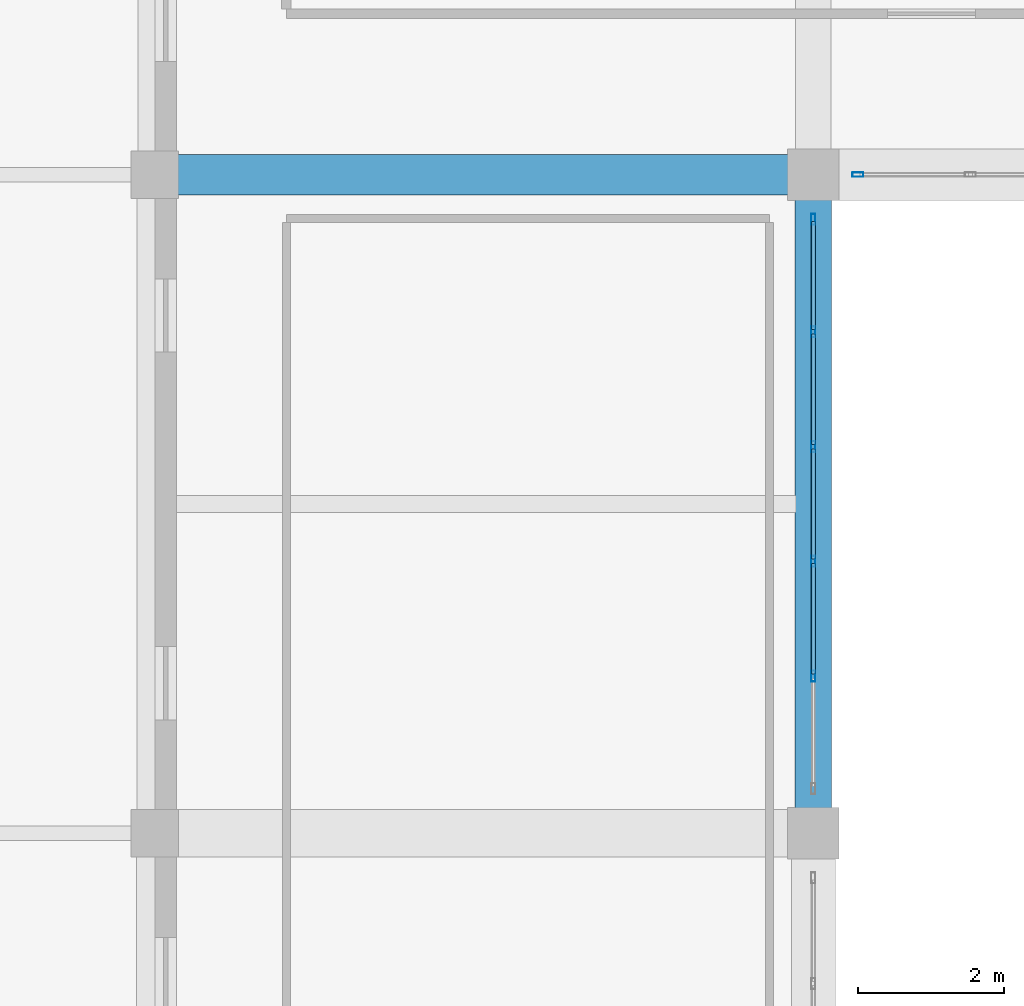
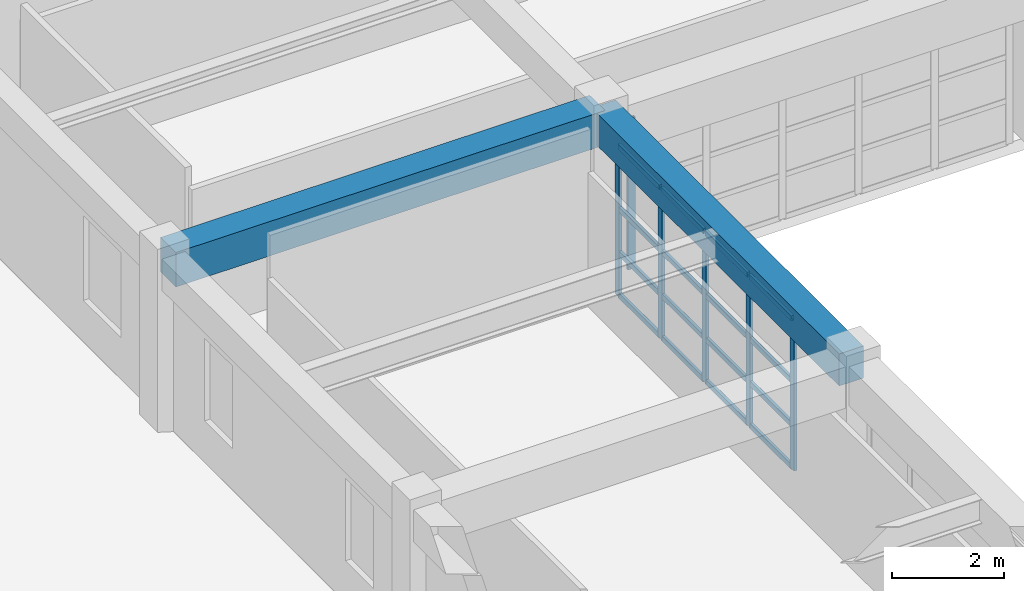
# One storey, part 60 of 130: 22 members, 2 beams, 2 elements without a shape of their own.
"""IFC4 building model written with IfcOpenShell, lengths in metres."""

import ifcopenshell
import ifcopenshell.guid

model = None  # the IFC model being written
_history = None  # IfcOwnerHistory: only IFC2X3 demands one
_inside = {}  # id of a spatial element -> (the spatial element, [elements in it])
_under = {}  # id of a project, library or spatial element -> (it, [spatial elements below it])
_declared = {}  # id of a project -> (the project, [libraries it declares])
_typed = {}  # id of a type object -> (the type object, [elements of that type])
_made_of = {}  # id of a material, layer set ... -> (it, [elements and type objects made of it])


def new_model(schema):
    """Start an empty IFC model of exactly this schema.

    Asked for "IFC4X3", IfcOpenShell would pick the latest addendum, in which some entities
    have other attributes; the version numbers below select the first issue.
    IFC2X3 requires an IfcOwnerHistory on every rooted entity: one is made here for all.
    """
    global model, _history
    if schema == "IFC4X3":
        model = ifcopenshell.file(schema_version=(4, 3, 0, 0))
    else:
        model = ifcopenshell.file(schema=schema)
    _inside.clear()
    _under.clear()
    _declared.clear()
    _typed.clear()
    _made_of.clear()
    _history = None
    if model.schema == "IFC2X3":
        org = make("IfcOrganization", Name="unknown")
        user = make(
            "IfcPersonAndOrganization",
            ThePerson=make("IfcPerson", FamilyName="unknown"),
            TheOrganization=org,
        )
        app = make(
            "IfcApplication",
            ApplicationDeveloper=org,
            Version="unknown",
            ApplicationFullName="unknown",
            ApplicationIdentifier="unknown",
        )
        _history = make(
            "IfcOwnerHistory",
            OwningUser=user,
            OwningApplication=app,
            ChangeAction="ADDED",
            CreationDate=0,
        )
    return model


def make(cls, **values):
    """One entity of the class cls with the attributes given. An attribute that is None is left unset."""
    return model.create_entity(
        cls, **{name: value for name, value in values.items() if value is not None}
    )


def rooted(cls, **values):
    """An entity with a GlobalId (a new one), such as an element, a storey or a relation."""
    return make(cls, GlobalId=ifcopenshell.guid.new(), OwnerHistory=_history, **values)


def si_unit(unit_type, name, prefix=None):
    """IfcSIUnit, for example si_unit("LENGTHUNIT", "METRE", prefix="MILLI")."""
    return make("IfcSIUnit", UnitType=unit_type, Prefix=prefix, Name=name)


def assignment(units):
    """IfcUnitAssignment: the units of a project."""
    return None if units is None else make("IfcUnitAssignment", Units=units)


def point(xyz):
    """IfcCartesianPoint."""
    return None if xyz is None else make("IfcCartesianPoint", Coordinates=xyz)


def direction(xyz):
    """IfcDirection."""
    return None if xyz is None else make("IfcDirection", DirectionRatios=xyz)


def frame(location, z_axis=None, x_axis=None):
    """IfcAxis2Placement3D, a coordinate frame: its origin and axes. An axis left out is left unset."""
    return make(
        "IfcAxis2Placement3D",
        Location=point(location),
        Axis=direction(z_axis),
        RefDirection=direction(x_axis),
    )


def frame_2d(location, x_axis=None):
    """IfcAxis2Placement2D, a coordinate frame in the plane: its origin and x axis."""
    return make(
        "IfcAxis2Placement2D", Location=point(location), RefDirection=direction(x_axis)
    )


def origin():
    """The frame at (0, 0, 0) with its axes left unset."""
    return frame((0.0, 0.0, 0.0))


def origin_2d():
    """The frame at (0, 0) in the plane with its x axis left unset."""
    return frame_2d((0.0, 0.0))


def place(relative_to, where):
    """IfcLocalPlacement: puts the frame where relative to a parent placement (None: the world)."""
    return make(
        "IfcLocalPlacement", PlacementRelTo=relative_to, RelativePlacement=where
    )


def context(
    kind, dimensions, precision=None, world=None, true_north=None, identifier=None
):
    """IfcGeometricRepresentationContext, for example the 3D "Model" context."""
    return make(
        "IfcGeometricRepresentationContext",
        ContextIdentifier=identifier,
        ContextType=kind,
        CoordinateSpaceDimension=dimensions,
        Precision=precision,
        WorldCoordinateSystem=world,
        TrueNorth=true_north,
    )


def subcontext(parent, identifier, kind, view, scale=None):
    """IfcGeometricRepresentationSubContext, for example "Body" below "Model"."""
    return make(
        "IfcGeometricRepresentationSubContext",
        ContextIdentifier=identifier,
        ContextType=kind,
        ParentContext=parent,
        TargetScale=scale,
        TargetView=view,
    )


def project(units=None, contexts=None):
    """IfcProject with its units and contexts."""
    return rooted(
        "IfcProject",
        Name="project",
        RepresentationContexts=contexts,
        UnitsInContext=assignment(units),
    )


def spatial(cls, under=None, at=None, **own):
    """A site, building, storey or space (cls), placed at a placement, below another one or the project."""
    s = rooted(cls, ObjectPlacement=at, **own)
    if under is not None:
        _under.setdefault(under.id(), (under, []))[1].append(s)
    return s


def profile(cls, at=None, kind="AREA", **sizes):
    """A parametric profile (cls). Its sizes go by their IFC names, for example OverallWidth=200.0."""
    return make(cls, ProfileType=kind, Position=at, **sizes)


def rectangle(**sizes):
    """IfcRectangleProfileDef."""
    return profile("IfcRectangleProfileDef", **sizes)


def hollow_rectangle(**sizes):
    """IfcRectangleHollowProfileDef."""
    return profile("IfcRectangleHollowProfileDef", **sizes)


def extrude(swept, where, along, depth):
    """IfcExtrudedAreaSolid: the profile swept, set in the frame where, extruded along a direction by depth."""
    return make(
        "IfcExtrudedAreaSolid",
        SweptArea=swept,
        Position=where,
        ExtrudedDirection=direction(along),
        Depth=depth,
    )


def shape(context_of_items, identifier, shape_type, items):
    """IfcShapeRepresentation: the items that make up one representation, for example the "Body"."""
    return make(
        "IfcShapeRepresentation",
        ContextOfItems=context_of_items,
        RepresentationIdentifier=identifier,
        RepresentationType=shape_type,
        Items=items,
    )


def material(Name=None, Category=None):
    """IfcMaterial."""
    return make("IfcMaterial", Name=Name, Category=Category)


def material_profile(
    of_material, cross_section, Name=None, Category=None, Priority=None
):
    """IfcMaterialProfile: a cross section and its material."""
    return make(
        "IfcMaterialProfile",
        Name=Name,
        Material=of_material,
        Profile=cross_section,
        Priority=Priority,
        Category=Category,
    )


def profile_set(profiles, Name=None, composite=None):
    """IfcMaterialProfileSet."""
    return make(
        "IfcMaterialProfileSet",
        Name=Name,
        MaterialProfiles=profiles,
        CompositeProfile=composite,
    )


def made_of(thing, what):
    """Note that an element or type object is made of a material, layer set ...; save() writes the relation."""
    if what is not None:
        _made_of.setdefault(what.id(), (what, []))[1].append(thing)
    return thing


def type_object(cls, material=None, **own):
    """A type object (cls), such as IfcWallType, which elements share."""
    return made_of(rooted(cls, **own), material)


def element(
    cls,
    number,
    at=None,
    inside=None,
    cuts=None,
    type_object=None,
    material=None,
    context=None,
    identifier="Body",
    shape_type=None,
    held_by="IfcProductDefinitionShape",
    body=None,
    shapes=None,
    **own,
):
    """One element of the class cls, such as IfcWall. Its Tag is "e" and its number.

    at: its placement. inside: the storey or other place that contains it. cuts: it is an
    opening in that element (IfcRelVoidsElement). A single representation is given by context,
    identifier, shape_type and body (its items); several are given by shapes. held_by: the class
    of the entity that holds the representations. save() writes the other relations.
    """
    e = rooted(cls, Tag="e%d" % number, ObjectPlacement=at, **own)
    if body is not None:
        shapes = [shape(context, identifier, shape_type, body)]
    if shapes is not None:
        e.Representation = make(held_by, Representations=shapes)
    if inside is not None:
        _inside.setdefault(inside.id(), (inside, []))[1].append(e)
    if cuts is not None:
        rooted(
            "IfcRelVoidsElement", RelatingBuildingElement=cuts, RelatedOpeningElement=e
        )
    if type_object is not None:
        _typed.setdefault(type_object.id(), (type_object, []))[1].append(e)
    return made_of(e, material)


def aggregate(whole, parts):
    """IfcRelAggregates: a whole, such as a stair, and the parts it consists of."""
    return rooted("IfcRelAggregates", RelatingObject=whole, RelatedObjects=parts)


def save(model, path):
    """Write the relations noted so far, then the file.

    IfcRelAggregates (storeys below a building ...), IfcRelContainedInSpatialStructure (elements
    in a storey), IfcRelDefinesByType, IfcRelAssociatesMaterial and IfcRelDeclares: one each for
    every whole, place, type object, material and project.
    """
    for whole, parts in _under.values():
        aggregate(whole, parts)
    for where, things in _inside.values():
        rooted(
            "IfcRelContainedInSpatialStructure",
            RelatedElements=things,
            RelatingStructure=where,
        )
    for kind, things in _typed.values():
        rooted("IfcRelDefinesByType", RelatedObjects=things, RelatingType=kind)
    for what, things in _made_of.values():
        rooted("IfcRelAssociatesMaterial", RelatedObjects=things, RelatingMaterial=what)
    for by, libraries in _declared.values():
        rooted("IfcRelDeclares", RelatingContext=by, RelatedDefinitions=libraries)
    model.write(path)


model = new_model("IFC4")

# Units and contexts
model_context = context("Model", 3, precision=1e-05, world=origin(), true_north=direction((0.0, 1.0)))
body_context = subcontext(model_context, "Body", "Model", "MODEL_VIEW")
ifc_project = project(units=[si_unit("LENGTHUNIT", "METRE"), si_unit("AREAUNIT", "SQUARE_METRE"), si_unit("VOLUMEUNIT", "CUBIC_METRE"), si_unit("PLANEANGLEUNIT", "RADIAN"), si_unit("MASSUNIT", "GRAM", prefix="KILO")], contexts=[model_context])

# Site, building, storey
site_placement = place(None, origin())
site = spatial("IfcSite", under=ifc_project, at=site_placement, CompositionType="ELEMENT")
building_placement = place(site_placement, origin())
building = spatial("IfcBuilding", under=site, at=building_placement, Name="Miravela Opera House", CompositionType="ELEMENT")
storey_placement = place(building_placement, frame((0.0, 0.0, 9.52001953125)))
storey = spatial("IfcBuildingStorey", under=building, at=storey_placement, Name="L02", CompositionType="ELEMENT", Elevation=9.52001953125)

# Curtain wall, member
ifc_material_1 = material(Name="Anodised architectural bronze aluminium 6063-T6", Category="aluminium")
curtain_wall_type = type_object("IfcCurtainWallType", Name="ARC-CW-05", PredefinedType="NOTDEFINED", material=ifc_material_1)
curtain_wall_1_placement = place(storey_placement, origin())
curtain_wall_1 = element("IfcCurtainWall", 1, at=curtain_wall_1_placement, inside=storey, type_object=curtain_wall_type, Name="Courtyard Arcade Curtain Wall CW-L02-090", PredefinedType="NOTDEFINED")
ifc_material_profile_1 = material_profile(ifc_material_1, hollow_rectangle(XDim=0.06005859375, YDim=0.14990234375, WallThickness=0.00390625, InnerFilletRadius=0.001953125, OuterFilletRadius=0.00390625, at=origin_2d()), Name="CWM-60X150")
ifc_profile_set_1 = profile_set([ifc_material_profile_1])
member_type_1 = type_object("IfcMemberType", Name="ARC-CWM-150", PredefinedType="MULLION", material=ifc_profile_set_1)
member_1_placement = place(storey_placement, frame((27.610107421875, 103.0, 0.0), z_axis=(0.0, 0.0, 1.0), x_axis=(0.0, 1.0, 0.0)))
member_1 = element("IfcMember", 2, at=member_1_placement, type_object=member_type_1, Name="CW-05 mullion 1", PredefinedType="MULLION", context=body_context, shape_type="SweptSolid", body=[
    extrude(hollow_rectangle(XDim=0.06005859375, YDim=0.14990234375, WallThickness=0.00390625, InnerFilletRadius=0.001953125, OuterFilletRadius=0.00390625, at=origin_2d()), origin(), (0.0, 0.0, 1.0), 3.2900390625),
])
aggregate(curtain_wall_1, [member_1])

# Curtain wall, members
curtain_wall_2_placement = place(storey_placement, origin())
curtain_wall_2 = element("IfcCurtainWall", 3, at=curtain_wall_2_placement, inside=storey, type_object=curtain_wall_type, Name="Courtyard Arcade Curtain Wall CW-L02-098", PredefinedType="NOTDEFINED")
member_2_placement = place(storey_placement, frame((27.0, 96.14794921875, 0.0), z_axis=(0.0, 0.0, 1.0), x_axis=(-1.0, 0.0, 0.0)))
member_2 = element("IfcMember", 4, at=member_2_placement, type_object=member_type_1, Name="CW-05 mullion 2", PredefinedType="MULLION", context=body_context, shape_type="SweptSolid", body=[
    extrude(hollow_rectangle(XDim=0.06005859375, YDim=0.14990234375, WallThickness=0.00390625, InnerFilletRadius=0.001953125, OuterFilletRadius=0.00390625, at=origin_2d()), origin(), (0.0, 0.0, 1.0), 3.2900390625),
])
member_3_placement = place(storey_placement, frame((27.0, 97.716064453125, 0.0), z_axis=(0.0, 0.0, 1.0), x_axis=(-1.0, 0.0, 0.0)))
member_3 = element("IfcMember", 5, at=member_3_placement, type_object=member_type_1, Name="CW-05 mullion 3", PredefinedType="MULLION", context=body_context, shape_type="SweptSolid", body=[
    extrude(hollow_rectangle(XDim=0.06005859375, YDim=0.14990234375, WallThickness=0.00390625, InnerFilletRadius=0.001953125, OuterFilletRadius=0.00390625, at=origin_2d()), origin(), (0.0, 0.0, 1.0), 3.2900390625),
])
member_4_placement = place(storey_placement, frame((27.0, 99.283935546875, 0.0), z_axis=(0.0, 0.0, 1.0), x_axis=(-1.0, 0.0, 0.0)))
member_4 = element("IfcMember", 6, at=member_4_placement, type_object=member_type_1, Name="CW-05 mullion 4", PredefinedType="MULLION", context=body_context, shape_type="SweptSolid", body=[
    extrude(hollow_rectangle(XDim=0.06005859375, YDim=0.14990234375, WallThickness=0.00390625, InnerFilletRadius=0.001953125, OuterFilletRadius=0.00390625, at=origin_2d()), origin(), (0.0, 0.0, 1.0), 3.2900390625),
])
member_5_placement = place(storey_placement, frame((27.0, 100.85205078125, 0.0), z_axis=(0.0, 0.0, 1.0), x_axis=(-1.0, 0.0, 0.0)))
member_5 = element("IfcMember", 7, at=member_5_placement, type_object=member_type_1, Name="CW-05 mullion 5", PredefinedType="MULLION", context=body_context, shape_type="SweptSolid", body=[
    extrude(hollow_rectangle(XDim=0.06005859375, YDim=0.14990234375, WallThickness=0.00390625, InnerFilletRadius=0.001953125, OuterFilletRadius=0.00390625, at=origin_2d()), origin(), (0.0, 0.0, 1.0), 3.2900390625),
])
member_6_placement = place(storey_placement, frame((27.0, 102.389892578125, 0.0), z_axis=(0.0, 0.0, 1.0), x_axis=(-1.0, 0.0, 0.0)))
member_6 = element("IfcMember", 8, at=member_6_placement, type_object=member_type_1, Name="CW-05 mullion 6", PredefinedType="MULLION", context=body_context, shape_type="SweptSolid", body=[
    extrude(hollow_rectangle(XDim=0.06005859375, YDim=0.14990234375, WallThickness=0.00390625, InnerFilletRadius=0.001953125, OuterFilletRadius=0.00390625, at=origin_2d()), origin(), (0.0, 0.0, 1.0), 3.2900390625),
])
ifc_material_profile_2 = material_profile(ifc_material_1, hollow_rectangle(XDim=0.06005859375, YDim=0.114990234375, WallThickness=0.00390625, InnerFilletRadius=0.001953125, OuterFilletRadius=0.00390625, at=origin_2d()), Name="CWT-60X115")
ifc_profile_set_2 = profile_set([ifc_material_profile_2])
member_type_2 = type_object("IfcMemberType", Name="ARC-CWT-115", PredefinedType="USERDEFINED", material=ifc_profile_set_2)
member_7_placement = place(storey_placement, frame((27.0, 96.177978515625, 0.030029296875), z_axis=(0.0, 1.0, 0.0), x_axis=(-1.0, 0.0, 0.0)))
member_7 = element("IfcMember", 9, at=member_7_placement, type_object=member_type_2, Name="CW-05 transom 2.1", ObjectType="TRANSOM", PredefinedType="USERDEFINED", context=body_context, shape_type="SweptSolid", body=[
    extrude(hollow_rectangle(XDim=0.06005859375, YDim=0.114990234375, WallThickness=0.00390625, InnerFilletRadius=0.001953125, OuterFilletRadius=0.00390625, at=origin_2d()), origin(), (0.0, 0.0, 1.0), 1.508056640625),
])
member_8_placement = place(storey_placement, frame((27.0, 96.177978515625, 0.949951171875), z_axis=(0.0, 1.0, 0.0), x_axis=(-1.0, 0.0, 0.0)))
member_8 = element("IfcMember", 10, at=member_8_placement, type_object=member_type_2, Name="CW-05 transom 2.2", ObjectType="TRANSOM", PredefinedType="USERDEFINED", context=body_context, shape_type="SweptSolid", body=[
    extrude(hollow_rectangle(XDim=0.06005859375, YDim=0.114990234375, WallThickness=0.00390625, InnerFilletRadius=0.001953125, OuterFilletRadius=0.00390625, at=origin_2d()), origin(), (0.0, 0.0, 1.0), 1.508056640625),
])
member_9_placement = place(storey_placement, frame((27.0, 96.177978515625, 1.908203125), z_axis=(0.0, 1.0, 0.0), x_axis=(-1.0, 0.0, 0.0)))
member_9 = element("IfcMember", 11, at=member_9_placement, type_object=member_type_2, Name="CW-05 transom 2.3", ObjectType="TRANSOM", PredefinedType="USERDEFINED", context=body_context, shape_type="SweptSolid", body=[
    extrude(hollow_rectangle(XDim=0.06005859375, YDim=0.114990234375, WallThickness=0.00390625, InnerFilletRadius=0.001953125, OuterFilletRadius=0.00390625, at=origin_2d()), origin(), (0.0, 0.0, 1.0), 1.508056640625),
])
member_10_placement = place(storey_placement, frame((27.0, 96.177978515625, 3.260009765625), z_axis=(0.0, 1.0, 0.0), x_axis=(-1.0, 0.0, 0.0)))
member_10 = element("IfcMember", 12, at=member_10_placement, type_object=member_type_2, Name="CW-05 transom 2.4", ObjectType="TRANSOM", PredefinedType="USERDEFINED", context=body_context, shape_type="SweptSolid", body=[
    extrude(hollow_rectangle(XDim=0.06005859375, YDim=0.114990234375, WallThickness=0.00390625, InnerFilletRadius=0.001953125, OuterFilletRadius=0.00390625, at=origin_2d()), origin(), (0.0, 0.0, 1.0), 1.508056640625),
])
member_11_placement = place(storey_placement, frame((27.0, 97.74609375, 0.030029296875), z_axis=(0.0, 1.0, 0.0), x_axis=(-1.0, 0.0, 0.0)))
member_11 = element("IfcMember", 13, at=member_11_placement, type_object=member_type_2, Name="CW-05 transom 3.1", ObjectType="TRANSOM", PredefinedType="USERDEFINED", context=body_context, shape_type="SweptSolid", body=[
    extrude(hollow_rectangle(XDim=0.06005859375, YDim=0.114990234375, WallThickness=0.00390625, InnerFilletRadius=0.001953125, OuterFilletRadius=0.00390625, at=origin_2d()), origin(), (0.0, 0.0, 1.0), 1.5078125),
])
member_12_placement = place(storey_placement, frame((27.0, 97.74609375, 0.949951171875), z_axis=(0.0, 1.0, 0.0), x_axis=(-1.0, 0.0, 0.0)))
member_12 = element("IfcMember", 14, at=member_12_placement, type_object=member_type_2, Name="CW-05 transom 3.2", ObjectType="TRANSOM", PredefinedType="USERDEFINED", context=body_context, shape_type="SweptSolid", body=[
    extrude(hollow_rectangle(XDim=0.06005859375, YDim=0.114990234375, WallThickness=0.00390625, InnerFilletRadius=0.001953125, OuterFilletRadius=0.00390625, at=origin_2d()), origin(), (0.0, 0.0, 1.0), 1.5078125),
])
member_13_placement = place(storey_placement, frame((27.0, 97.74609375, 1.908203125), z_axis=(0.0, 1.0, 0.0), x_axis=(-1.0, 0.0, 0.0)))
member_13 = element("IfcMember", 15, at=member_13_placement, type_object=member_type_2, Name="CW-05 transom 3.3", ObjectType="TRANSOM", PredefinedType="USERDEFINED", context=body_context, shape_type="SweptSolid", body=[
    extrude(hollow_rectangle(XDim=0.06005859375, YDim=0.114990234375, WallThickness=0.00390625, InnerFilletRadius=0.001953125, OuterFilletRadius=0.00390625, at=origin_2d()), origin(), (0.0, 0.0, 1.0), 1.5078125),
])
member_14_placement = place(storey_placement, frame((27.0, 97.74609375, 3.260009765625), z_axis=(0.0, 1.0, 0.0), x_axis=(-1.0, 0.0, 0.0)))
member_14 = element("IfcMember", 16, at=member_14_placement, type_object=member_type_2, Name="CW-05 transom 3.4", ObjectType="TRANSOM", PredefinedType="USERDEFINED", context=body_context, shape_type="SweptSolid", body=[
    extrude(hollow_rectangle(XDim=0.06005859375, YDim=0.114990234375, WallThickness=0.00390625, InnerFilletRadius=0.001953125, OuterFilletRadius=0.00390625, at=origin_2d()), origin(), (0.0, 0.0, 1.0), 1.5078125),
])
member_15_placement = place(storey_placement, frame((27.0, 99.31396484375, 0.030029296875), z_axis=(0.0, 1.0, 0.0), x_axis=(-1.0, 0.0, 0.0)))
member_15 = element("IfcMember", 17, at=member_15_placement, type_object=member_type_2, Name="CW-05 transom 4.1", ObjectType="TRANSOM", PredefinedType="USERDEFINED", context=body_context, shape_type="SweptSolid", body=[
    extrude(hollow_rectangle(XDim=0.06005859375, YDim=0.114990234375, WallThickness=0.00390625, InnerFilletRadius=0.001953125, OuterFilletRadius=0.00390625, at=origin_2d()), origin(), (0.0, 0.0, 1.0), 1.508056640625),
])
member_16_placement = place(storey_placement, frame((27.0, 99.31396484375, 0.949951171875), z_axis=(0.0, 1.0, 0.0), x_axis=(-1.0, 0.0, 0.0)))
member_16 = element("IfcMember", 18, at=member_16_placement, type_object=member_type_2, Name="CW-05 transom 4.2", ObjectType="TRANSOM", PredefinedType="USERDEFINED", context=body_context, shape_type="SweptSolid", body=[
    extrude(hollow_rectangle(XDim=0.06005859375, YDim=0.114990234375, WallThickness=0.00390625, InnerFilletRadius=0.001953125, OuterFilletRadius=0.00390625, at=origin_2d()), origin(), (0.0, 0.0, 1.0), 1.508056640625),
])
member_17_placement = place(storey_placement, frame((27.0, 99.31396484375, 1.908203125), z_axis=(0.0, 1.0, 0.0), x_axis=(-1.0, 0.0, 0.0)))
member_17 = element("IfcMember", 19, at=member_17_placement, type_object=member_type_2, Name="CW-05 transom 4.3", ObjectType="TRANSOM", PredefinedType="USERDEFINED", context=body_context, shape_type="SweptSolid", body=[
    extrude(hollow_rectangle(XDim=0.06005859375, YDim=0.114990234375, WallThickness=0.00390625, InnerFilletRadius=0.001953125, OuterFilletRadius=0.00390625, at=origin_2d()), origin(), (0.0, 0.0, 1.0), 1.508056640625),
])
member_18_placement = place(storey_placement, frame((27.0, 99.31396484375, 3.260009765625), z_axis=(0.0, 1.0, 0.0), x_axis=(-1.0, 0.0, 0.0)))
member_18 = element("IfcMember", 20, at=member_18_placement, type_object=member_type_2, Name="CW-05 transom 4.4", ObjectType="TRANSOM", PredefinedType="USERDEFINED", context=body_context, shape_type="SweptSolid", body=[
    extrude(hollow_rectangle(XDim=0.06005859375, YDim=0.114990234375, WallThickness=0.00390625, InnerFilletRadius=0.001953125, OuterFilletRadius=0.00390625, at=origin_2d()), origin(), (0.0, 0.0, 1.0), 1.508056640625),
])
member_19_placement = place(storey_placement, frame((27.0, 100.882080078125, 0.030029296875), z_axis=(0.0, 1.0, 0.0), x_axis=(-1.0, 0.0, 0.0)))
member_19 = element("IfcMember", 21, at=member_19_placement, type_object=member_type_2, Name="CW-05 transom 5.1", ObjectType="TRANSOM", PredefinedType="USERDEFINED", context=body_context, shape_type="SweptSolid", body=[
    extrude(hollow_rectangle(XDim=0.06005859375, YDim=0.114990234375, WallThickness=0.00390625, InnerFilletRadius=0.001953125, OuterFilletRadius=0.00390625, at=origin_2d()), origin(), (0.0, 0.0, 1.0), 1.47802734375),
])
member_20_placement = place(storey_placement, frame((27.0, 100.882080078125, 0.949951171875), z_axis=(0.0, 1.0, 0.0), x_axis=(-1.0, 0.0, 0.0)))
member_20 = element("IfcMember", 22, at=member_20_placement, type_object=member_type_2, Name="CW-05 transom 5.2", ObjectType="TRANSOM", PredefinedType="USERDEFINED", context=body_context, shape_type="SweptSolid", body=[
    extrude(hollow_rectangle(XDim=0.06005859375, YDim=0.114990234375, WallThickness=0.00390625, InnerFilletRadius=0.001953125, OuterFilletRadius=0.00390625, at=origin_2d()), origin(), (0.0, 0.0, 1.0), 1.47802734375),
])
member_21_placement = place(storey_placement, frame((27.0, 100.882080078125, 1.908203125), z_axis=(0.0, 1.0, 0.0), x_axis=(-1.0, 0.0, 0.0)))
member_21 = element("IfcMember", 23, at=member_21_placement, type_object=member_type_2, Name="CW-05 transom 5.3", ObjectType="TRANSOM", PredefinedType="USERDEFINED", context=body_context, shape_type="SweptSolid", body=[
    extrude(hollow_rectangle(XDim=0.06005859375, YDim=0.114990234375, WallThickness=0.00390625, InnerFilletRadius=0.001953125, OuterFilletRadius=0.00390625, at=origin_2d()), origin(), (0.0, 0.0, 1.0), 1.47802734375),
])
member_22_placement = place(storey_placement, frame((27.0, 100.882080078125, 3.260009765625), z_axis=(0.0, 1.0, 0.0), x_axis=(-1.0, 0.0, 0.0)))
member_22 = element("IfcMember", 24, at=member_22_placement, type_object=member_type_2, Name="CW-05 transom 5.4", ObjectType="TRANSOM", PredefinedType="USERDEFINED", context=body_context, shape_type="SweptSolid", body=[
    extrude(hollow_rectangle(XDim=0.06005859375, YDim=0.114990234375, WallThickness=0.00390625, InnerFilletRadius=0.001953125, OuterFilletRadius=0.00390625, at=origin_2d()), origin(), (0.0, 0.0, 1.0), 1.47802734375),
])
aggregate(curtain_wall_2, [member_2, member_3, member_4, member_5, member_6, member_7, member_8, member_9, member_10, member_11, member_12, member_13, member_14, member_15, member_16, member_17, member_18, member_19, member_20, member_21, member_22])

# Beams
ifc_material_2 = material(Name="Concrete C35/45", Category="concrete")
ifc_material_profile_3 = material_profile(ifc_material_2, rectangle(XDim=0.5, YDim=0.699951171875, at=origin_2d()), Name="RC-BM-500X700")
ifc_profile_set_3 = profile_set([ifc_material_profile_3])
beam_type_1 = type_object("IfcBeamType", Name="STR-BM-RC500X700", PredefinedType="BEAM", material=ifc_profile_set_3)
beam_1_placement = place(storey_placement, frame((27.0, 94.080078125, 3.489990234375), z_axis=(0.0, 1.0, 0.0), x_axis=(-1.0, 0.0, 0.0)))
element("IfcBeam", 25, at=beam_1_placement, inside=storey, type_object=beam_type_1, Name="Floor Girder L02 4/K-L", PredefinedType="BEAM", context=body_context, shape_type="SweptSolid", body=[
    extrude(rectangle(XDim=0.5, YDim=0.699951171875, at=origin_2d()), origin(), (0.0, 0.0, 1.0), 8.83984375),
])
ifc_material_profile_4 = material_profile(ifc_material_2, rectangle(XDim=0.550048828125, YDim=0.75, at=origin_2d()), Name="RC-BM-550X750")
ifc_profile_set_4 = profile_set([ifc_material_profile_4])
beam_type_2 = type_object("IfcBeamType", Name="STR-BM-RC550X750", PredefinedType="BEAM", material=ifc_profile_set_4)
beam_2_placement = place(storey_placement, frame((18.080078125, 103.0, 3.465087890625), z_axis=(1.0, 0.0, 0.0), x_axis=(0.0, 1.0, 0.0)))
element("IfcBeam", 26, at=beam_2_placement, inside=storey, type_object=beam_type_2, Name="Floor Girder L02 3-4/L", PredefinedType="BEAM", context=body_context, shape_type="SweptSolid", body=[
    extrude(rectangle(XDim=0.550048828125, YDim=0.75, at=origin_2d()), origin(), (0.0, 0.0, 1.0), 8.83984375),
])

save(model, "model.ifc")
